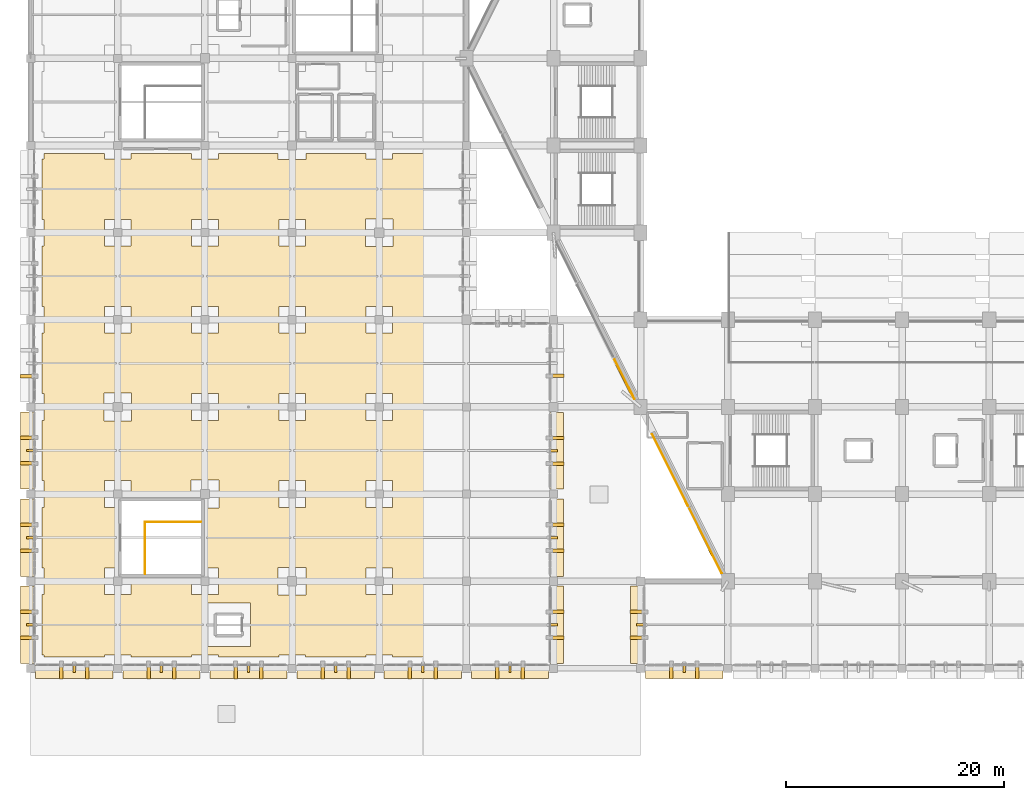
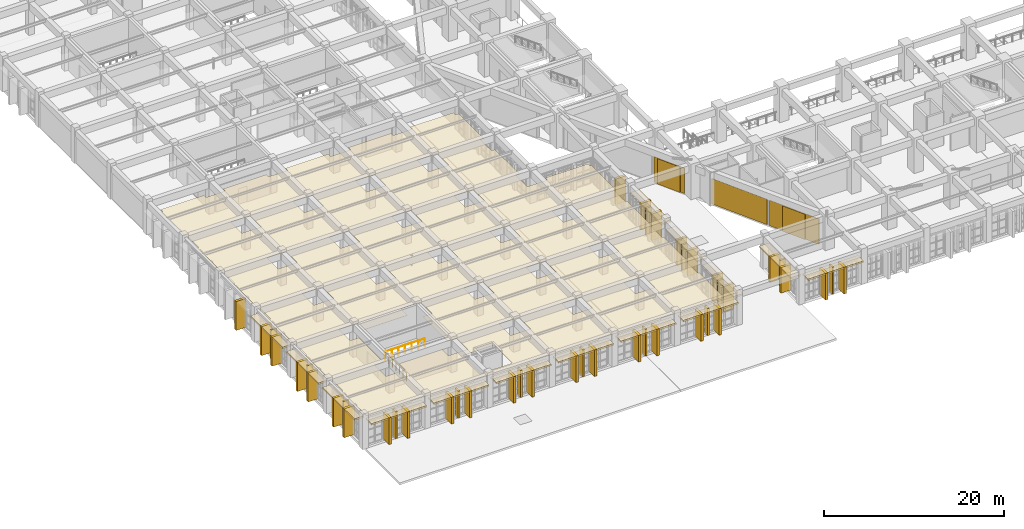
# One storey, part 147 of 155: 48 coverings, 16 shading devices, 2 railings.
"""IFC4 building model written with IfcOpenShell, lengths in metres."""

from ifc_helpers import new_model, si_unit, direction, frame, origin, origin_2d, place, context, subcontext, project, spatial, polyline, rectangle, circle, outline, extrude, material, layer, layer_set, type_object, element, save


model = new_model("IFC4")

# Units and contexts
model_context = context("Model", 3, precision=1e-05, world=origin(), true_north=direction((0.0, 1.0)))
body_context = subcontext(model_context, "Body", "Model", "MODEL_VIEW")
ifc_project = project(units=[si_unit("LENGTHUNIT", "METRE"), si_unit("AREAUNIT", "SQUARE_METRE"), si_unit("VOLUMEUNIT", "CUBIC_METRE"), si_unit("PLANEANGLEUNIT", "RADIAN"), si_unit("MASSUNIT", "GRAM", prefix="KILO")], contexts=[model_context])

# Site, building, storey
site_placement = place(None, origin())
site = spatial("IfcSite", under=ifc_project, at=site_placement, CompositionType="ELEMENT")
building_placement = place(site_placement, origin())
building = spatial("IfcBuilding", under=site, at=building_placement, Name="Tazarka Park Arena", CompositionType="ELEMENT")
storey_placement = place(building_placement, frame((0.0, 0.0, 5.39990234375)))
storey = spatial("IfcBuildingStorey", under=building, at=storey_placement, Name="L01", CompositionType="ELEMENT", Elevation=5.39990234375)

# Coverings
ifc_material_1 = material(Name="Dark ribbed perforated bronze-charcoal aluminium mesh", Category="aluminium")
ifc_layer_1 = layer(ifc_material_1, 0.06005859375, Name="Dark ribbed perforated bronze-charcoal aluminium mesh")
ifc_layer_set_1 = layer_set([ifc_layer_1], Name="Dark ribbed perforated bronze-charcoal aluminium mesh")
covering_type_1 = type_object("IfcCoveringType", Name="CLD-01", PredefinedType="CLADDING", material=ifc_layer_set_1)
for number, where, z_axis, x_axis, name in (
    (1, (55.669921875, 10.818359375, 0.0), (0.0, 0.0, 1.0), (0.0, 1.0, 0.0), "Brutalist Precast Brise-Soleil Blade L01-001-1"),
    (2, (55.669921875, 13.181640625, 0.0), (0.0, 0.0, 1.0), (0.0, 1.0, 0.0), "Brutalist Precast Brise-Soleil Blade L01-001-2"),
):
    element("IfcCovering", number, at=place(storey_placement, frame(where, z_axis=z_axis, x_axis=x_axis)), inside=storey, type_object=covering_type_1, Name=name, PredefinedType="CLADDING", context=body_context, shape_type="SweptSolid", body=[
        extrude(rectangle(XDim=0.320068359375, YDim=1.300048828125, at=origin_2d()), origin(), (0.0, 0.0, 1.0), 3.449951171875),
    ])
for number, where, z_axis, x_axis, name in (
    (3, (61.181640625, 7.669921875, 0.0), (0.0, 0.0, 1.0), (-1.0, 0.0, 0.0), "Brutalist Precast Brise-Soleil Blade L01-004-1"),
    (4, (58.818359375, 7.669921875, 0.0), (0.0, 0.0, 1.0), (-1.0, 0.0, 0.0), "Brutalist Precast Brise-Soleil Blade L01-004-2"),
):
    element("IfcCovering", number, at=place(storey_placement, frame(where, z_axis=z_axis, x_axis=x_axis)), inside=storey, type_object=covering_type_1, Name=name, PredefinedType="CLADDING", context=body_context, shape_type="SweptSolid", body=[
        extrude(rectangle(XDim=0.320068359375, YDim=1.300048828125, at=origin_2d()), origin(), (0.0, 0.0, 1.0), 3.60009765625),
    ])
covering_1_placement = place(storey_placement, frame((61.968017578125, 19.69482421875, 0.0), z_axis=(0.0, 0.0, 1.0), x_axis=(-0.447290848419, 0.89438856037, 0.0)))
element("IfcCovering", 5, at=covering_1_placement, inside=storey, type_object=covering_type_1, Name="Ribbed Metal Mesh Cladding EW-L01-0182", PredefinedType="CLADDING", context=body_context, shape_type="SweptSolid", body=[
    extrude(rectangle(XDim=6.606201171875, YDim=0.06005859375, at=origin_2d()), origin(), (0.0, 0.0, 1.0), 3.449951171875),
])
covering_2_placement = place(storey_placement, frame((58.70068359375, 26.20751953125, 0.0), z_axis=(0.0, 0.0, 1.0), x_axis=(-0.447290848419, 0.89438856037, 0.0)))
element("IfcCovering", 6, at=covering_2_placement, inside=storey, type_object=covering_type_1, Name="Ribbed Metal Mesh Cladding EW-L01-0183", PredefinedType="CLADDING", context=body_context, shape_type="SweptSolid", body=[
    extrude(rectangle(XDim=7.366455078125, YDim=0.06005859375, at=origin_2d()), origin(), (0.0, 0.0, 1.0), 3.449951171875),
])
covering_3_placement = place(storey_placement, frame((54.521728515625, 34.54296875, 0.0), z_axis=(0.0, 0.0, 1.0), x_axis=(-0.447290848419, 0.89438856037, 0.0)))
element("IfcCovering", 7, at=covering_3_placement, inside=storey, type_object=covering_type_1, Name="Ribbed Metal Mesh Cladding EW-L01-0184", PredefinedType="CLADDING", context=body_context, shape_type="SweptSolid", body=[
    extrude(rectangle(XDim=4.05078125, YDim=0.06005859375, at=origin_2d()), origin(), (0.0, 0.0, 1.0), 3.449951171875),
])
for number, where, z_axis, x_axis, name in (
    (8, (-0.330078125, 26.818359375, 0.0), (0.0, 0.0, 1.0), (0.0, 1.0, 0.0), "Brutalist Precast Brise-Soleil Blade L01-061-1"),
    (9, (-0.330078125, 29.181640625, 0.0), (0.0, 0.0, 1.0), (0.0, 1.0, 0.0), "Brutalist Precast Brise-Soleil Blade L01-061-2"),
    (10, (-0.330078125, 18.818359375, 0.0), (0.0, 0.0, 1.0), (0.0, 1.0, 0.0), "Brutalist Precast Brise-Soleil Blade L01-064-1"),
    (11, (-0.330078125, 21.181640625, 0.0), (0.0, 0.0, 1.0), (0.0, 1.0, 0.0), "Brutalist Precast Brise-Soleil Blade L01-064-2"),
    (12, (-0.330078125, 10.818359375, 0.0), (0.0, 0.0, 1.0), (0.0, 1.0, 0.0), "Brutalist Precast Brise-Soleil Blade L01-067-1"),
    (13, (-0.330078125, 13.181640625, 0.0), (0.0, 0.0, 1.0), (0.0, 1.0, 0.0), "Brutalist Precast Brise-Soleil Blade L01-067-2"),
):
    element("IfcCovering", number, at=place(storey_placement, frame(where, z_axis=z_axis, x_axis=x_axis)), inside=storey, type_object=covering_type_1, Name=name, PredefinedType="CLADDING", context=body_context, shape_type="SweptSolid", body=[
        extrude(rectangle(XDim=0.320068359375, YDim=1.300048828125, at=origin_2d()), origin(), (0.0, 0.0, 1.0), 3.909912109375),
    ])
for number, where, z_axis, x_axis, name in (
    (14, (5.181640625, 7.669921875, 0.0), (0.0, 0.0, 1.0), (-1.0, 0.0, 0.0), "Brutalist Precast Brise-Soleil Blade L01-070-1"),
    (15, (2.818359375, 7.669921875, 0.0), (0.0, 0.0, 1.0), (-1.0, 0.0, 0.0), "Brutalist Precast Brise-Soleil Blade L01-070-2"),
    (16, (13.181640625, 7.669921875, 0.0), (0.0, 0.0, 1.0), (-1.0, 0.0, 0.0), "Brutalist Precast Brise-Soleil Blade L01-073-1"),
    (17, (10.818359375, 7.669921875, 0.0), (0.0, 0.0, 1.0), (-1.0, 0.0, 0.0), "Brutalist Precast Brise-Soleil Blade L01-073-2"),
    (18, (21.181640625, 7.669921875, 0.0), (0.0, 0.0, 1.0), (-1.0, 0.0, 0.0), "Brutalist Precast Brise-Soleil Blade L01-076-1"),
    (19, (18.818359375, 7.669921875, 0.0), (0.0, 0.0, 1.0), (-1.0, 0.0, 0.0), "Brutalist Precast Brise-Soleil Blade L01-076-2"),
    (20, (29.181640625, 7.669921875, 0.0), (0.0, 0.0, 1.0), (-1.0, 0.0, 0.0), "Brutalist Precast Brise-Soleil Blade L01-079-1"),
    (21, (26.818359375, 7.669921875, 0.0), (0.0, 0.0, 1.0), (-1.0, 0.0, 0.0), "Brutalist Precast Brise-Soleil Blade L01-079-2"),
    (22, (37.181640625, 7.669921875, 0.0), (0.0, 0.0, 1.0), (-1.0, 0.0, 0.0), "Brutalist Precast Brise-Soleil Blade L01-082-1"),
    (23, (34.818359375, 7.669921875, 0.0), (0.0, 0.0, 1.0), (-1.0, 0.0, 0.0), "Brutalist Precast Brise-Soleil Blade L01-082-2"),
    (24, (45.181640625, 7.669921875, 0.0), (0.0, 0.0, 1.0), (-1.0, 0.0, 0.0), "Brutalist Precast Brise-Soleil Blade L01-085-1"),
    (25, (42.818359375, 7.669921875, 0.0), (0.0, 0.0, 1.0), (-1.0, 0.0, 0.0), "Brutalist Precast Brise-Soleil Blade L01-085-2"),
):
    element("IfcCovering", number, at=place(storey_placement, frame(where, z_axis=z_axis, x_axis=x_axis)), inside=storey, type_object=covering_type_1, Name=name, PredefinedType="CLADDING", context=body_context, shape_type="SweptSolid", body=[
        extrude(rectangle(XDim=0.320068359375, YDim=1.300048828125, at=origin_2d()), origin(), (0.0, 0.0, 1.0), 3.60009765625),
    ])
for number, where, z_axis, x_axis, name in (
    (26, (48.330078125, 13.181640625, 0.0), (0.0, 0.0, 1.0), (0.0, -1.0, 0.0), "Brutalist Precast Brise-Soleil Blade L01-088-1"),
    (27, (48.330078125, 10.818359375, 0.0), (0.0, 0.0, 1.0), (0.0, -1.0, 0.0), "Brutalist Precast Brise-Soleil Blade L01-088-2"),
    (28, (48.330078125, 21.181640625, 0.0), (0.0, 0.0, 1.0), (0.0, -1.0, 0.0), "Brutalist Precast Brise-Soleil Blade L01-091-1"),
    (29, (48.330078125, 18.818359375, 0.0), (0.0, 0.0, 1.0), (0.0, -1.0, 0.0), "Brutalist Precast Brise-Soleil Blade L01-091-2"),
):
    element("IfcCovering", number, at=place(storey_placement, frame(where, z_axis=z_axis, x_axis=x_axis)), inside=storey, type_object=covering_type_1, Name=name, PredefinedType="CLADDING", context=body_context, shape_type="SweptSolid", body=[
        extrude(rectangle(XDim=0.320068359375, YDim=1.300048828125, at=origin_2d()), origin(), (0.0, 0.0, 1.0), 3.449951171875),
    ])
for number, where, z_axis, x_axis, name in (
    (30, (48.330078125, 29.148193359375, 0.0), (0.0, 0.0, 1.0), (0.0, -1.0, 0.0), "Brutalist Precast Brise-Soleil Blade L01-094-1"),
    (31, (48.330078125, 26.8017578125, 0.0), (0.0, 0.0, 1.0), (0.0, -1.0, 0.0), "Brutalist Precast Brise-Soleil Blade L01-094-2"),
):
    element("IfcCovering", number, at=place(storey_placement, frame(where, z_axis=z_axis, x_axis=x_axis)), inside=storey, type_object=covering_type_1, Name=name, PredefinedType="CLADDING", context=body_context, shape_type="SweptSolid", body=[
        extrude(rectangle(XDim=0.320068359375, YDim=1.300048828125, at=origin_2d()), origin(), (0.0, 0.0, 1.0), 3.60009765625),
    ])
covering_4_placement = place(storey_placement, frame((48.330078125, 34.851806640625, 0.0), z_axis=(0.0, 0.0, 1.0), x_axis=(0.0, -1.0, 0.0)))
element("IfcCovering", 32, at=covering_4_placement, inside=storey, type_object=covering_type_1, Name="Brutalist Precast Brise-Soleil Blade L01-097-2", PredefinedType="CLADDING", context=body_context, shape_type="SweptSolid", body=[
    extrude(rectangle(XDim=0.320068359375, YDim=1.300048828125, at=origin_2d()), origin(), (0.0, 0.0, 1.0), 3.449951171875),
])
covering_5_placement = place(storey_placement, frame((-0.330078125, 34.818359375, 0.0), z_axis=(0.0, 0.0, 1.0), x_axis=(0.0, 1.0, 0.0)))
element("IfcCovering", 33, at=covering_5_placement, inside=storey, type_object=covering_type_1, Name="Brutalist Precast Brise-Soleil Blade L01-145-1", PredefinedType="CLADDING", context=body_context, shape_type="SweptSolid", body=[
    extrude(rectangle(XDim=0.320068359375, YDim=1.300048828125, at=origin_2d()), origin(), (0.0, 0.0, 1.0), 3.909912109375),
])
ifc_material_2 = material(Name="Perforated acoustic mineral-wool ceiling tile")
ifc_layer_2 = layer(ifc_material_2, 0.0400390625, Name="Perforated acoustic mineral-wool ceiling tile")
ifc_layer_set_2 = layer_set([ifc_layer_2], Name="Perforated acoustic mineral-wool ceiling tile")
covering_type_2 = type_object("IfcCoveringType", Name="CLG-01", PredefinedType="CEILING", material=ifc_layer_set_2)
covering_6_placement = place(storey_placement, frame((0.0, 0.0, 3.10009765625)))
element("IfcCovering", 34, at=covering_6_placement, inside=storey, type_object=covering_type_2, Name="Acoustic Ceiling Entrance Foyer Mezzanine Lounge 3", PredefinedType="CEILING", context=body_context, shape_type="SweptSolid", body=[
    extrude(outline(polyline([(1.050048828125, 14.77490234375), (1.22509765625, 14.77490234375), (1.22509765625, 17.22509765625), (1.050048828125, 17.22509765625), (1.050048828125, 22.77490234375), (1.22509765625, 22.77490234375), (1.22509765625, 25.22509765625), (1.050048828125, 25.22509765625), (1.050048828125, 30.77490234375), (1.22509765625, 30.77490234375), (1.22509765625, 33.22509765625), (1.050048828125, 33.22509765625), (1.050048828125, 38.77490234375), (1.22509765625, 38.77490234375), (1.22509765625, 41.22509765625), (1.050048828125, 41.22509765625), (1.050048828125, 46.77490234375), (1.22509765625, 46.77490234375), (1.22509765625, 49.22509765625), (1.050048828125, 49.22509765625), (1.050048828125, 54.77490234375), (1.22509765625, 54.77490234375), (1.22509765625, 55.25), (6.77490234375, 55.25), (6.77490234375, 54.77490234375), (9.22509765625, 54.77490234375), (9.22509765625, 55.25), (14.77490234375, 55.25), (14.77490234375, 54.77490234375), (17.22509765625, 54.77490234375), (17.22509765625, 55.25), (22.72509765625, 55.25), (22.72509765625, 54.72509765625), (25.27490234375, 54.72509765625), (25.27490234375, 55.25), (30.77490234375, 55.25), (30.77490234375, 54.77490234375), (33.22509765625, 54.77490234375), (33.22509765625, 55.25), (38.77490234375, 55.25), (38.77490234375, 54.77490234375), (39.199951171875, 54.77490234375), (39.199951171875, 49.22509765625), (38.77490234375, 49.22509765625), (38.77490234375, 46.77490234375), (39.199951171875, 46.77490234375), (39.199951171875, 41.27490234375), (38.72509765625, 41.27490234375), (38.72509765625, 38.72509765625), (41.27490234375, 38.72509765625), (41.27490234375, 39.2001953125), (46.77490234375, 39.199951171875), (46.77490234375, 38.77490234375), (46.949951171875, 38.77490234375), (46.949951171875, 33.27490234375), (46.72509765625, 33.27490234375), (46.72509765625, 30.72509765625), (46.949951171875, 30.72509765625), (46.949951171875, 25.22509765625), (46.77490234375, 25.22509765625), (46.77490234375, 22.77490234375), (46.949951171875, 22.77490234375), (46.949951171875, 17.22509765625), (46.77490234375, 17.22509765625), (46.77490234375, 14.77490234375), (46.949951171875, 14.77490234375), (46.949951171875, 9.22509765625), (46.77490234375, 9.22509765625), (46.77490234375, 9.050048828125), (41.22509765625, 9.050048828125), (41.22509765625, 9.22509765625), (38.77490234375, 9.22509765625), (38.77490234375, 9.050048828125), (33.22509765625, 9.050048828125), (33.22509765625, 9.22509765625), (30.77490234375, 9.22509765625), (30.77490234375, 9.050048828125), (25.22509765625, 9.050048828125), (25.22509765625, 9.22509765625), (22.77490234375, 9.22509765625), (22.77490234375, 9.050048828125), (17.22509765625, 9.050048828125), (17.22509765625, 9.22509765625), (14.77490234375, 9.22509765625), (14.77490234375, 9.050048828125), (9.22509765625, 9.050048828125), (9.22509765625, 9.22509765625), (6.77490234375, 9.22509765625), (6.77490234375, 9.050048828125), (1.22509765625, 9.050048828125), (1.22509765625, 9.22509765625), (1.050048828125, 9.22509765625), (1.050048828125, 14.77490234375)]), holes=[polyline([(20.199951171875, 14.0), (16.199951171875, 14.0), (16.199951171875, 10.0), (20.199951171875, 10.0), (20.199951171875, 14.0)]), polyline([(7.89990234375, 17.22509765625), (6.77490234375, 17.22509765625), (6.77490234375, 14.77490234375), (9.22509765625, 14.77490234375), (9.22509765625, 16.199951171875), (14.77490234375, 16.199951171875), (14.77490234375, 14.77490234375), (17.22509765625, 14.77490234375), (17.22509765625, 17.22509765625), (16.10009765625, 17.22509765625), (16.10009765625, 22.72509765625), (17.27490234375, 22.72509765625), (17.27490234375, 25.27490234375), (14.72509765625, 25.27490234375), (14.72509765625, 23.800048828125), (9.22509765625, 23.800048828125), (9.22509765625, 25.22509765625), (6.77490234375, 25.22509765625), (6.77490234375, 22.77490234375), (7.89990234375, 22.77490234375), (7.89990234375, 17.22509765625)]), polyline([(17.22509765625, 33.22509765625), (14.77490234375, 33.22509765625), (14.77490234375, 30.77490234375), (17.22509765625, 30.77490234375), (17.22509765625, 33.22509765625)]), polyline([(9.27490234375, 30.72509765625), (9.27490234375, 33.27490234375), (6.72509765625, 33.27490234375), (6.72509765625, 30.72509765625), (9.27490234375, 30.72509765625)]), polyline([(9.22509765625, 41.22509765625), (6.77490234375, 41.22509765625), (6.77490234375, 38.77490234375), (9.22509765625, 38.77490234375), (9.22509765625, 41.22509765625)]), polyline([(17.22509765625, 41.22509765625), (14.77490234375, 41.22509765625), (14.77490234375, 38.77490234375), (17.22509765625, 38.77490234375), (17.22509765625, 41.22509765625)]), polyline([(17.22509765625, 46.77490234375), (17.22509765625, 49.22509765625), (14.77490234375, 49.22509765625), (14.77490234375, 46.77490234375), (17.22509765625, 46.77490234375)]), polyline([(9.22509765625, 49.22509765625), (6.77490234375, 49.22509765625), (6.77490234375, 46.77490234375), (9.22509765625, 46.77490234375), (9.22509765625, 49.22509765625)]), polyline([(25.27490234375, 14.72509765625), (25.27490234375, 17.27490234375), (22.72509765625, 17.27490234375), (22.72509765625, 14.72509765625), (25.27490234375, 14.72509765625)]), polyline([(41.22509765625, 14.77490234375), (41.22509765625, 17.22509765625), (38.77490234375, 17.22509765625), (38.77490234375, 14.77490234375), (41.22509765625, 14.77490234375)]), polyline([(33.22509765625, 17.22509765625), (30.77490234375, 17.22509765625), (30.77490234375, 14.77490234375), (33.22509765625, 14.77490234375), (33.22509765625, 17.22509765625)]), polyline([(41.22509765625, 25.22509765625), (38.77490234375, 25.22509765625), (38.77490234375, 22.77490234375), (41.22509765625, 22.77490234375), (41.22509765625, 25.22509765625)]), polyline([(25.22509765625, 22.77490234375), (25.22509765625, 25.22509765625), (22.77490234375, 25.22509765625), (22.77490234375, 22.77490234375), (25.22509765625, 22.77490234375)]), polyline([(33.22509765625, 22.77490234375), (33.22509765625, 25.22509765625), (30.77490234375, 25.22509765625), (30.77490234375, 22.77490234375), (33.22509765625, 22.77490234375)]), polyline([(41.22509765625, 33.22509765625), (38.77490234375, 33.22509765625), (38.77490234375, 30.77490234375), (41.22509765625, 30.77490234375), (41.22509765625, 33.22509765625)]), polyline([(25.22509765625, 33.22509765625), (22.77490234375, 33.22509765625), (22.77490234375, 30.77490234375), (25.22509765625, 30.77490234375), (25.22509765625, 33.22509765625)]), polyline([(33.22509765625, 30.77490234375), (33.22509765625, 33.22509765625), (30.77490234375, 33.22509765625), (30.77490234375, 30.77490234375), (33.22509765625, 30.77490234375)]), polyline([(33.22509765625, 38.77490234375), (33.22509765625, 41.22509765625), (30.77490234375, 41.22509765625), (30.77490234375, 38.77490234375), (33.22509765625, 38.77490234375)]), polyline([(25.22509765625, 41.22509765625), (22.77490234375, 41.22509765625), (22.77490234375, 38.77490234375), (25.22509765625, 38.77490234375), (25.22509765625, 41.22509765625)]), polyline([(33.27490234375, 46.72509765625), (33.27490234375, 49.27490234375), (30.72509765625, 49.27490234375), (30.72509765625, 46.72509765625), (33.27490234375, 46.72509765625)]), polyline([(25.22509765625, 49.22509765625), (22.77490234375, 49.22509765625), (22.77490234375, 46.77490234375), (25.22509765625, 46.77490234375), (25.22509765625, 49.22509765625)])]), origin(), (0.0, 0.0, 1.0), 0.0400390625),
])

# Railings
ifc_material_3 = material(Name="Galvanised powder-coated architectural steel", Category="steel")
railing_type = type_object("IfcRailingType", Name="IGR-01", PredefinedType="GUARDRAIL", material=ifc_material_3)
railing_1_placement = place(storey_placement, frame((10.514892578125, 16.679931640625, 0.0)))
element("IfcRailing", 35, at=railing_1_placement, inside=storey, type_object=railing_type, Name="Stair Well Guardrail ST17-L01", PredefinedType="GUARDRAIL", context=body_context, shape_type="SweptSolid", body=[
    extrude(circle(Radius=0.02392578125, at=origin_2d()), frame((0.0, 0.0, 1.1259765625), z_axis=(0.0, 1.0, 0.0), x_axis=(-1.0, 0.0, 0.0)), (0.0, 0.0, 1.0), 4.77001953125),
    extrude(circle(Radius=0.02099609375, at=origin_2d()), origin(), (0.0, 0.0, 1.0), 1.101806640625),
    extrude(circle(Radius=0.02099609375, at=origin_2d()), frame((0.0, 0.794921875, 0.0)), (0.0, 0.0, 1.0), 1.101806640625),
    extrude(circle(Radius=0.02099609375, at=origin_2d()), frame((0.0, 1.590087890625, 0.0)), (0.0, 0.0, 1.0), 1.101806640625),
    extrude(circle(Radius=0.02099609375, at=origin_2d()), frame((0.0, 2.385009765625, 0.0)), (0.0, 0.0, 1.0), 1.101806640625),
    extrude(circle(Radius=0.02099609375, at=origin_2d()), frame((0.0, 3.179931640625, 0.0)), (0.0, 0.0, 1.0), 1.101806640625),
    extrude(circle(Radius=0.02099609375, at=origin_2d()), frame((0.0, 3.97509765625, 0.0)), (0.0, 0.0, 1.0), 1.101806640625),
    extrude(circle(Radius=0.02099609375, at=origin_2d()), frame((0.0, 4.77001953125, 0.0)), (0.0, 0.0, 1.0), 1.101806640625),
])
railing_2_placement = place(storey_placement, frame((10.514892578125, 21.449951171875, 0.0)))
element("IfcRailing", 36, at=railing_2_placement, inside=storey, type_object=railing_type, Name="Top Well Guardrail ST17-L01", PredefinedType="GUARDRAIL", context=body_context, shape_type="SweptSolid", body=[
    extrude(circle(Radius=0.02392578125, at=origin_2d()), frame((0.0, 0.0, 1.1259765625), z_axis=(1.0, 0.0, 0.0), x_axis=(0.0, 1.0, 0.0)), (0.0, 0.0, 1.0), 5.105224609375),
    extrude(circle(Radius=0.02099609375, at=origin_2d()), origin(), (0.0, 0.0, 1.0), 1.101806640625),
    extrude(circle(Radius=0.02099609375, at=origin_2d()), frame((0.850830078125, 0.0, 0.0)), (0.0, 0.0, 1.0), 1.101806640625),
    extrude(circle(Radius=0.02099609375, at=origin_2d()), frame((1.70166015625, 0.0, 0.0)), (0.0, 0.0, 1.0), 1.101806640625),
    extrude(circle(Radius=0.02099609375, at=origin_2d()), frame((2.552734375, 0.0, 0.0)), (0.0, 0.0, 1.0), 1.101806640625),
    extrude(circle(Radius=0.02099609375, at=origin_2d()), frame((3.403564453125, 0.0, 0.0)), (0.0, 0.0, 1.0), 1.101806640625),
    extrude(circle(Radius=0.02099609375, at=origin_2d()), frame((4.25439453125, 0.0, 0.0)), (0.0, 0.0, 1.0), 1.101806640625),
    extrude(circle(Radius=0.02099609375, at=origin_2d()), frame((5.105224609375, 0.0, 0.0)), (0.0, 0.0, 1.0), 1.101806640625),
])

# Coverings
ifc_material_4 = material(Name="Standing-seam acoustic aluminium roofing membrane", Category="aluminium")
ifc_layer_3 = layer(ifc_material_4, 0.050048828125, Name="Standing-seam acoustic aluminium roofing membrane")
ifc_layer_set_3 = layer_set([ifc_layer_3], Name="Standing-seam acoustic aluminium roofing membrane")
covering_type_3 = type_object("IfcCoveringType", Name="RFG-01", PredefinedType="ROOFING", material=ifc_layer_set_3)
covering_7_placement = place(storey_placement, frame((0.0, 0.0, 3.210205078125)))
element("IfcCovering", 37, at=covering_7_placement, inside=storey, type_object=covering_type_3, Name="Brutalist Sun-Hood Overhang L01-001", PredefinedType="ROOFING", context=body_context, shape_type="SweptSolid", body=[
    extrude(outline(polyline([(56.320068359375, 8.455078125), (56.320068359375, 15.544921875), (55.070068359375, 15.544921875), (55.070068359375, 8.455078125), (56.320068359375, 8.455078125)])), origin(), (0.0, 0.0, 1.0), 0.219970703125),
])
covering_8_placement = place(storey_placement, frame((0.0, 0.0, 3.360107421875)))
element("IfcCovering", 38, at=covering_8_placement, inside=storey, type_object=covering_type_3, Name="Brutalist Sun-Hood Overhang L01-004", PredefinedType="ROOFING", context=body_context, shape_type="SweptSolid", body=[
    extrude(outline(polyline([(63.544921875, 8.320068359375), (56.455078125, 8.320068359375), (56.455078125, 7.070068359375), (63.544921875, 7.070068359375), (63.544921875, 8.320068359375)])), origin(), (0.0, 0.0, 1.0), 0.219970703125),
])
covering_9_placement = place(storey_placement, frame((0.0, 0.0, 3.670166015625)))
element("IfcCovering", 39, at=covering_9_placement, inside=storey, type_object=covering_type_3, Name="Brutalist Sun-Hood Overhang L01-061", PredefinedType="ROOFING", context=body_context, shape_type="SweptSolid", body=[
    extrude(outline(polyline([(0.320068359375, 24.455078125), (0.320068359375, 31.544921875), (-0.929931640625, 31.544921875), (-0.929931640625, 24.455078125), (0.320068359375, 24.455078125)])), origin(), (0.0, 0.0, 1.0), 0.219970703125),
])
covering_10_placement = place(storey_placement, frame((0.0, 0.0, 3.670166015625)))
element("IfcCovering", 40, at=covering_10_placement, inside=storey, type_object=covering_type_3, Name="Brutalist Sun-Hood Overhang L01-064", PredefinedType="ROOFING", context=body_context, shape_type="SweptSolid", body=[
    extrude(outline(polyline([(0.320068359375, 16.455078125), (0.320068359375, 23.544921875), (-0.929931640625, 23.544921875), (-0.929931640625, 16.455078125), (0.320068359375, 16.455078125)])), origin(), (0.0, 0.0, 1.0), 0.219970703125),
])
covering_11_placement = place(storey_placement, frame((0.0, 0.0, 3.670166015625)))
element("IfcCovering", 41, at=covering_11_placement, inside=storey, type_object=covering_type_3, Name="Brutalist Sun-Hood Overhang L01-067", PredefinedType="ROOFING", context=body_context, shape_type="SweptSolid", body=[
    extrude(outline(polyline([(0.320068359375, 8.455078125), (0.320068359375, 15.544921875), (-0.929931640625, 15.544921875), (-0.929931640625, 8.455078125), (0.320068359375, 8.455078125)])), origin(), (0.0, 0.0, 1.0), 0.219970703125),
])
covering_12_placement = place(storey_placement, frame((0.0, 0.0, 3.360107421875)))
element("IfcCovering", 42, at=covering_12_placement, inside=storey, type_object=covering_type_3, Name="Brutalist Sun-Hood Overhang L01-070", PredefinedType="ROOFING", context=body_context, shape_type="SweptSolid", body=[
    extrude(outline(polyline([(7.544921875, 8.320068359375), (0.455078125, 8.320068359375), (0.455078125, 7.070068359375), (7.544921875, 7.070068359375), (7.544921875, 8.320068359375)])), origin(), (0.0, 0.0, 1.0), 0.219970703125),
])
covering_13_placement = place(storey_placement, frame((0.0, 0.0, 3.360107421875)))
element("IfcCovering", 43, at=covering_13_placement, inside=storey, type_object=covering_type_3, Name="Brutalist Sun-Hood Overhang L01-073", PredefinedType="ROOFING", context=body_context, shape_type="SweptSolid", body=[
    extrude(outline(polyline([(15.544921875, 8.320068359375), (8.455078125, 8.320068359375), (8.455078125, 7.070068359375), (15.544921875, 7.070068359375), (15.544921875, 8.320068359375)])), origin(), (0.0, 0.0, 1.0), 0.219970703125),
])
covering_14_placement = place(storey_placement, frame((0.0, 0.0, 3.360107421875)))
element("IfcCovering", 44, at=covering_14_placement, inside=storey, type_object=covering_type_3, Name="Brutalist Sun-Hood Overhang L01-076", PredefinedType="ROOFING", context=body_context, shape_type="SweptSolid", body=[
    extrude(outline(polyline([(23.544921875, 8.320068359375), (16.455078125, 8.320068359375), (16.455078125, 7.070068359375), (23.544921875, 7.070068359375), (23.544921875, 8.320068359375)])), origin(), (0.0, 0.0, 1.0), 0.219970703125),
])
covering_15_placement = place(storey_placement, frame((0.0, 0.0, 3.360107421875)))
element("IfcCovering", 45, at=covering_15_placement, inside=storey, type_object=covering_type_3, Name="Brutalist Sun-Hood Overhang L01-079", PredefinedType="ROOFING", context=body_context, shape_type="SweptSolid", body=[
    extrude(outline(polyline([(31.544921875, 8.320068359375), (24.455078125, 8.320068359375), (24.455078125, 7.070068359375), (31.544921875, 7.070068359375), (31.544921875, 8.320068359375)])), origin(), (0.0, 0.0, 1.0), 0.219970703125),
])
covering_16_placement = place(storey_placement, frame((0.0, 0.0, 3.360107421875)))
element("IfcCovering", 46, at=covering_16_placement, inside=storey, type_object=covering_type_3, Name="Brutalist Sun-Hood Overhang L01-082", PredefinedType="ROOFING", context=body_context, shape_type="SweptSolid", body=[
    extrude(outline(polyline([(39.544921875, 8.320068359375), (32.455078125, 8.320068359375), (32.455078125, 7.070068359375), (39.544921875, 7.070068359375), (39.544921875, 8.320068359375)])), origin(), (0.0, 0.0, 1.0), 0.219970703125),
])
covering_17_placement = place(storey_placement, frame((0.0, 0.0, 3.360107421875)))
element("IfcCovering", 47, at=covering_17_placement, inside=storey, type_object=covering_type_3, Name="Brutalist Sun-Hood Overhang L01-085", PredefinedType="ROOFING", context=body_context, shape_type="SweptSolid", body=[
    extrude(outline(polyline([(47.544921875, 8.320068359375), (40.455078125, 8.320068359375), (40.455078125, 7.070068359375), (47.544921875, 7.070068359375), (47.544921875, 8.320068359375)])), origin(), (0.0, 0.0, 1.0), 0.219970703125),
])
covering_18_placement = place(storey_placement, frame((0.0, 0.0, 3.210205078125)))
element("IfcCovering", 48, at=covering_18_placement, inside=storey, type_object=covering_type_3, Name="Brutalist Sun-Hood Overhang L01-088", PredefinedType="ROOFING", context=body_context, shape_type="SweptSolid", body=[
    extrude(outline(polyline([(47.679931640625, 15.544921875), (47.679931640625, 8.455078125), (48.929931640625, 8.455078125), (48.929931640625, 15.544921875), (47.679931640625, 15.544921875)])), origin(), (0.0, 0.0, 1.0), 0.219970703125),
])
covering_19_placement = place(storey_placement, frame((0.0, 0.0, 3.210205078125)))
element("IfcCovering", 49, at=covering_19_placement, inside=storey, type_object=covering_type_3, Name="Brutalist Sun-Hood Overhang L01-091", PredefinedType="ROOFING", context=body_context, shape_type="SweptSolid", body=[
    extrude(outline(polyline([(47.679931640625, 23.544921875), (47.679931640625, 16.455078125), (48.929931640625, 16.455078125), (48.929931640625, 23.544921875), (47.679931640625, 23.544921875)])), origin(), (0.0, 0.0, 1.0), 0.219970703125),
])
covering_20_placement = place(storey_placement, frame((0.0, 0.0, 3.360107421875)))
element("IfcCovering", 50, at=covering_20_placement, inside=storey, type_object=covering_type_3, Name="Brutalist Sun-Hood Overhang L01-094", PredefinedType="ROOFING", context=body_context, shape_type="SweptSolid", body=[
    extrude(outline(polyline([(47.679931640625, 31.4951171875), (47.679931640625, 24.455078125), (48.929931640625, 24.455078125), (48.929931640625, 31.4951171875), (47.679931640625, 31.4951171875)])), origin(), (0.0, 0.0, 1.0), 0.219970703125),
])

# Shading devices
ifc_material_5 = material(Name="Precast concrete C40/50", Category="concrete")
shading_device_type_1 = type_object("IfcShadingDeviceType", Name="SHD-01", PredefinedType="SHUTTER", material=ifc_material_5)
shading_device_1_placement = place(storey_placement, frame((55.97998046875, 12.0, -0.0400390625), z_axis=(0.0, 0.0, 1.0), x_axis=(0.0, 1.0, 0.0)))
element("IfcShadingDevice", 51, at=shading_device_1_placement, inside=storey, type_object=shading_device_type_1, Name="Brise-Soleil Fin BS-001", PredefinedType="SHUTTER", context=body_context, shape_type="SweptSolid", body=[
    extrude(rectangle(XDim=0.219970703125, YDim=0.719970703125, at=origin_2d()), origin(), (0.0, 0.0, 1.0), 3.530029296875),
])
shading_device_2_placement = place(storey_placement, frame((60.0, 7.97998046875, -0.0400390625), z_axis=(0.0, 0.0, 1.0), x_axis=(-1.0, 0.0, 0.0)))
element("IfcShadingDevice", 52, at=shading_device_2_placement, inside=storey, type_object=shading_device_type_1, Name="Brise-Soleil Fin BS-002", PredefinedType="SHUTTER", context=body_context, shape_type="SweptSolid", body=[
    extrude(rectangle(XDim=0.219970703125, YDim=0.719970703125, at=origin_2d()), origin(), (0.0, 0.0, 1.0), 3.679931640625),
])
for number, where, z_axis, x_axis, name in (
    (53, (-0.02001953125, 28.0, -0.0400390625), (0.0, 0.0, 1.0), (0.0, 1.0, 0.0), "Brise-Soleil Fin BS-021"),
    (54, (-0.02001953125, 20.0, -0.0400390625), (0.0, 0.0, 1.0), (0.0, 1.0, 0.0), "Brise-Soleil Fin BS-022"),
    (55, (-0.02001953125, 12.0, -0.0400390625), (0.0, 0.0, 1.0), (0.0, 1.0, 0.0), "Brise-Soleil Fin BS-023"),
):
    element("IfcShadingDevice", number, at=place(storey_placement, frame(where, z_axis=z_axis, x_axis=x_axis)), inside=storey, type_object=shading_device_type_1, Name=name, PredefinedType="SHUTTER", context=body_context, shape_type="SweptSolid", body=[
        extrude(rectangle(XDim=0.219970703125, YDim=0.719970703125, at=origin_2d()), origin(), (0.0, 0.0, 1.0), 3.989990234375),
    ])
for number, where, z_axis, x_axis, name in (
    (56, (4.0, 7.97998046875, -0.0400390625), (0.0, 0.0, 1.0), (-1.0, 0.0, 0.0), "Brise-Soleil Fin BS-024"),
    (57, (12.0, 7.97998046875, -0.0400390625), (0.0, 0.0, 1.0), (-1.0, 0.0, 0.0), "Brise-Soleil Fin BS-025"),
    (58, (20.0, 7.97998046875, -0.0400390625), (0.0, 0.0, 1.0), (-1.0, 0.0, 0.0), "Brise-Soleil Fin BS-026"),
    (59, (28.0, 7.97998046875, -0.0400390625), (0.0, 0.0, 1.0), (-1.0, 0.0, 0.0), "Brise-Soleil Fin BS-027"),
    (60, (36.0, 7.97998046875, -0.0400390625), (0.0, 0.0, 1.0), (-1.0, 0.0, 0.0), "Brise-Soleil Fin BS-028"),
    (61, (44.0, 7.97998046875, -0.0400390625), (0.0, 0.0, 1.0), (-1.0, 0.0, 0.0), "Brise-Soleil Fin BS-029"),
):
    element("IfcShadingDevice", number, at=place(storey_placement, frame(where, z_axis=z_axis, x_axis=x_axis)), inside=storey, type_object=shading_device_type_1, Name=name, PredefinedType="SHUTTER", context=body_context, shape_type="SweptSolid", body=[
        extrude(rectangle(XDim=0.219970703125, YDim=0.719970703125, at=origin_2d()), origin(), (0.0, 0.0, 1.0), 3.679931640625),
    ])
for number, where, z_axis, x_axis, name in (
    (62, (48.02001953125, 12.0, -0.0400390625), (0.0, 0.0, 1.0), (0.0, -1.0, 0.0), "Brise-Soleil Fin BS-030"),
    (63, (48.02001953125, 20.0, -0.0400390625), (0.0, 0.0, 1.0), (0.0, -1.0, 0.0), "Brise-Soleil Fin BS-031"),
):
    element("IfcShadingDevice", number, at=place(storey_placement, frame(where, z_axis=z_axis, x_axis=x_axis)), inside=storey, type_object=shading_device_type_1, Name=name, PredefinedType="SHUTTER", context=body_context, shape_type="SweptSolid", body=[
        extrude(rectangle(XDim=0.219970703125, YDim=0.719970703125, at=origin_2d()), origin(), (0.0, 0.0, 1.0), 3.530029296875),
    ])
shading_device_3_placement = place(storey_placement, frame((48.02001953125, 27.97509765625, -0.0400390625), z_axis=(0.0, 0.0, 1.0), x_axis=(0.0, -1.0, 0.0)))
element("IfcShadingDevice", 64, at=shading_device_3_placement, inside=storey, type_object=shading_device_type_1, Name="Brise-Soleil Fin BS-032", PredefinedType="SHUTTER", context=body_context, shape_type="SweptSolid", body=[
    extrude(rectangle(XDim=0.219970703125, YDim=0.719970703125, at=origin_2d()), origin(), (0.0, 0.0, 1.0), 3.679931640625),
])
ifc_material_6 = material(Name="Dark ribbed perforated bronze-charcoal aluminium mesh", Category="aluminium")
shading_device_type_2 = type_object("IfcShadingDeviceType", Name="SHD-02", PredefinedType="JALOUSIE", material=ifc_material_6)
for number, where, z_axis, x_axis, name in (
    (65, (61.91455078125, 19.66796875, 0.0), (0.0, 0.0, 1.0), (-0.447290848419, 0.89438856037, 0.0), "Perforated Mesh Screen EW-L01-0182"),
    (66, (54.468017578125, 34.51611328125, 0.0), (0.0, 0.0, 1.0), (-0.447290848419, 0.89438856037, 0.0), "Perforated Mesh Screen EW-L01-0184"),
):
    element("IfcShadingDevice", number, at=place(storey_placement, frame(where, z_axis=z_axis, x_axis=x_axis)), inside=storey, type_object=shading_device_type_2, Name=name, PredefinedType="JALOUSIE", context=body_context, shape_type="SweptSolid", body=[
        extrude(rectangle(XDim=3.0, YDim=0.139892578125, at=origin_2d()), origin(), (0.0, 0.0, 1.0), 3.449951171875),
    ])

save(model, "model.ifc")
